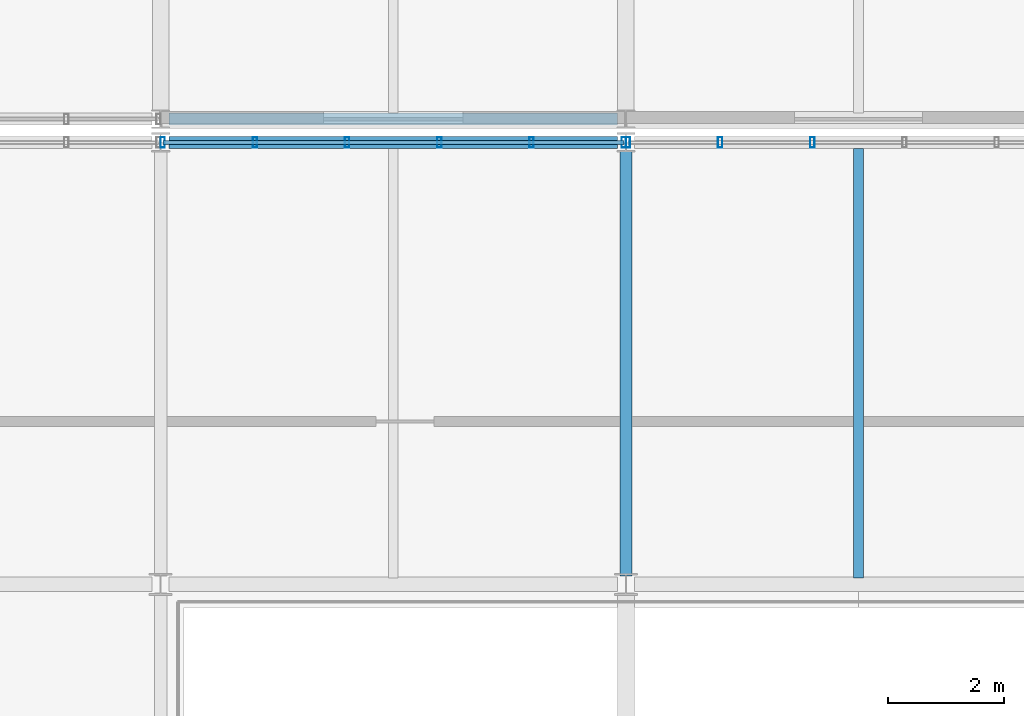
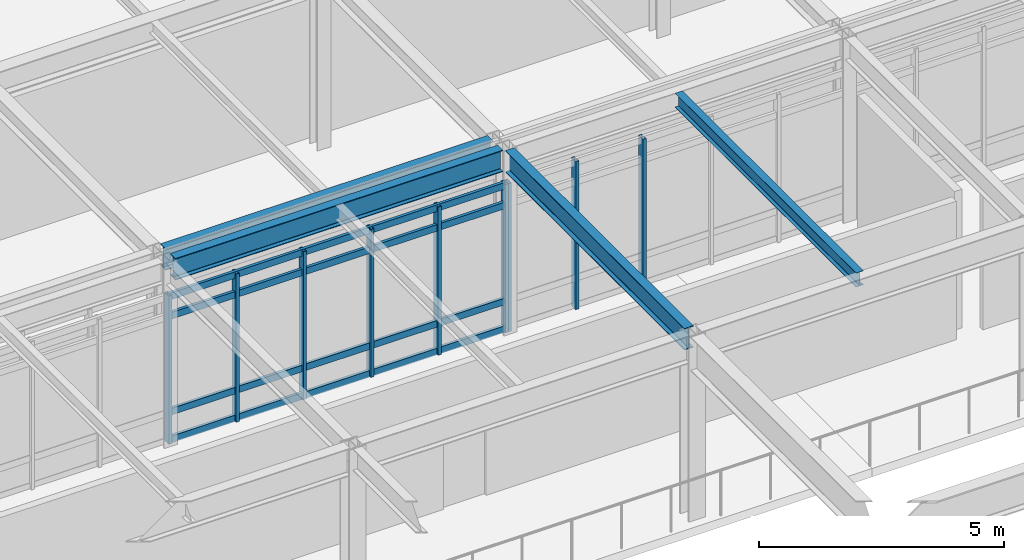
# One storey, part 49 of 104: 13 members, 4 beams, 2 elements without a shape of their own.
"""IFC4 building model written with IfcOpenShell, lengths in metres."""

from ifc_helpers import new_model, si_unit, direction, frame, origin, origin_2d, place, context, subcontext, project, spatial, hollow_rectangle, i_section, extrude, material, material_profile, profile_set, type_object, element, aggregate, save


model = new_model("IFC4")

# Units and contexts
model_context = context("Model", 3, precision=1e-05, world=origin(), true_north=direction((0.0, 1.0)))
body_context = subcontext(model_context, "Body", "Model", "MODEL_VIEW")
ifc_project = project(units=[si_unit("LENGTHUNIT", "METRE"), si_unit("AREAUNIT", "SQUARE_METRE"), si_unit("VOLUMEUNIT", "CUBIC_METRE"), si_unit("PLANEANGLEUNIT", "RADIAN"), si_unit("MASSUNIT", "GRAM", prefix="KILO")], contexts=[model_context])

# Site, building, storey
site_placement = place(None, origin())
site = spatial("IfcSite", under=ifc_project, at=site_placement, CompositionType="ELEMENT")
building_placement = place(site_placement, origin())
building = spatial("IfcBuilding", under=site, at=building_placement, Name="Zulena Civic Courthouse", CompositionType="ELEMENT")
storey_placement = place(building_placement, frame((0.0, 0.0, 15.60009765625)))
storey = spatial("IfcBuildingStorey", under=building, at=storey_placement, Name="L03", CompositionType="ELEMENT", Elevation=15.60009765625)

# Curtain wall, members
ifc_material_1 = material(Name="Double-silver low-E laminated solar-control glass", Category="glass")
curtain_wall_type = type_object("IfcCurtainWallType", Name="CW_7928x3690", PredefinedType="USERDEFINED", material=ifc_material_1)
curtain_wall_1_placement = place(storey_placement, origin())
curtain_wall_1 = element("IfcCurtainWall", 1, at=curtain_wall_1_placement, inside=storey, type_object=curtain_wall_type, Name="cw:V4:L03:1:2", ObjectType="UNITISED CURTAIN WALL", PredefinedType="USERDEFINED")
ifc_material_2 = material(Name="Bronze anodised thermally broken aluminium AA6063-T6", Category="aluminium")
ifc_material_profile_1 = material_profile(ifc_material_2, hollow_rectangle(XDim=0.074951171875, YDim=0.179931640625, WallThickness=0.0048828125, at=origin_2d()), Name="CWM180X75X5")
ifc_profile_set_1 = profile_set([ifc_material_profile_1], Name="Bronze anodised thermally broken aluminium AA6063-T6")
member_type_1 = type_object("IfcMemberType", Name="CWMullion_180x75", PredefinedType="MULLION", material=ifc_profile_set_1)
member_1_placement = place(storey_placement, frame((84.035888671875, 45.60009765625, 0.0), z_axis=(0.0, 0.0, 1.0), x_axis=(1.0, 0.0, 0.0)))
member_1 = element("IfcMember", 2, at=member_1_placement, type_object=member_type_1, Name="cw:V4:L03:1:2:mull:0", PredefinedType="MULLION", context=body_context, shape_type="SweptSolid", body=[
    extrude(hollow_rectangle(XDim=0.074951171875, YDim=0.179931640625, WallThickness=0.0048828125, at=origin_2d()), origin(), (0.0, 0.0, 1.0), 3.68994140625),
])
member_2_placement = place(storey_placement, frame((85.62158203125, 45.60009765625, 0.0), z_axis=(0.0, 0.0, 1.0), x_axis=(1.0, 0.0, 0.0)))
member_2 = element("IfcMember", 3, at=member_2_placement, type_object=member_type_1, Name="cw:V4:L03:1:2:mull:1", PredefinedType="MULLION", context=body_context, shape_type="SweptSolid", body=[
    extrude(hollow_rectangle(XDim=0.074951171875, YDim=0.179931640625, WallThickness=0.0048828125, at=origin_2d()), origin(), (0.0, 0.0, 1.0), 3.68994140625),
])
member_3_placement = place(storey_placement, frame((87.207275390625, 45.60009765625, 0.0), z_axis=(0.0, 0.0, 1.0), x_axis=(1.0, 0.0, 0.0)))
member_3 = element("IfcMember", 4, at=member_3_placement, type_object=member_type_1, Name="cw:V4:L03:1:2:mull:2", PredefinedType="MULLION", context=body_context, shape_type="SweptSolid", body=[
    extrude(hollow_rectangle(XDim=0.074951171875, YDim=0.179931640625, WallThickness=0.0048828125, at=origin_2d()), origin(), (0.0, 0.0, 1.0), 3.68994140625),
])
member_4_placement = place(storey_placement, frame((88.792724609375, 45.60009765625, 0.0), z_axis=(0.0, 0.0, 1.0), x_axis=(1.0, 0.0, 0.0)))
member_4 = element("IfcMember", 5, at=member_4_placement, type_object=member_type_1, Name="cw:V4:L03:1:2:mull:3", PredefinedType="MULLION", context=body_context, shape_type="SweptSolid", body=[
    extrude(hollow_rectangle(XDim=0.074951171875, YDim=0.179931640625, WallThickness=0.0048828125, at=origin_2d()), origin(), (0.0, 0.0, 1.0), 3.68994140625),
])
member_5_placement = place(storey_placement, frame((90.37841796875, 45.60009765625, 0.0), z_axis=(0.0, 0.0, 1.0), x_axis=(1.0, 0.0, 0.0)))
member_5 = element("IfcMember", 6, at=member_5_placement, type_object=member_type_1, Name="cw:V4:L03:1:2:mull:4", PredefinedType="MULLION", context=body_context, shape_type="SweptSolid", body=[
    extrude(hollow_rectangle(XDim=0.074951171875, YDim=0.179931640625, WallThickness=0.0048828125, at=origin_2d()), origin(), (0.0, 0.0, 1.0), 3.68994140625),
])
member_6_placement = place(storey_placement, frame((91.964111328125, 45.60009765625, 0.0), z_axis=(0.0, 0.0, 1.0), x_axis=(1.0, 0.0, 0.0)))
member_6 = element("IfcMember", 7, at=member_6_placement, type_object=member_type_1, Name="cw:V4:L03:1:2:mull:5", PredefinedType="MULLION", context=body_context, shape_type="SweptSolid", body=[
    extrude(hollow_rectangle(XDim=0.074951171875, YDim=0.179931640625, WallThickness=0.0048828125, at=origin_2d()), origin(), (0.0, 0.0, 1.0), 3.68994140625),
])

curtain_wall_2_placement = place(storey_placement, origin())
curtain_wall_2 = element("IfcCurtainWall", 8, at=curtain_wall_2_placement, inside=storey, type_object=curtain_wall_type, Name="cw:V4:L03:1:3", ObjectType="UNITISED CURTAIN WALL", PredefinedType="USERDEFINED")
member_7_placement = place(storey_placement, frame((92.035888671875, 45.60009765625, 0.0), z_axis=(0.0, 0.0, 1.0), x_axis=(1.0, 0.0, 0.0)))
member_7 = element("IfcMember", 9, at=member_7_placement, type_object=member_type_1, Name="cw:V4:L03:1:3:mull:0", PredefinedType="MULLION", context=body_context, shape_type="SweptSolid", body=[
    extrude(hollow_rectangle(XDim=0.074951171875, YDim=0.179931640625, WallThickness=0.0048828125, at=origin_2d()), origin(), (0.0, 0.0, 1.0), 3.68994140625),
])
member_8_placement = place(storey_placement, frame((93.62158203125, 45.60009765625, 0.0), z_axis=(0.0, 0.0, 1.0), x_axis=(1.0, 0.0, 0.0)))
member_8 = element("IfcMember", 10, at=member_8_placement, type_object=member_type_1, Name="cw:V4:L03:1:3:mull:1", PredefinedType="MULLION", context=body_context, shape_type="SweptSolid", body=[
    extrude(hollow_rectangle(XDim=0.074951171875, YDim=0.179931640625, WallThickness=0.0048828125, at=origin_2d()), origin(), (0.0, 0.0, 1.0), 3.68994140625),
])
member_9_placement = place(storey_placement, frame((95.207275390625, 45.60009765625, 0.0), z_axis=(0.0, 0.0, 1.0), x_axis=(1.0, 0.0, 0.0)))
member_9 = element("IfcMember", 11, at=member_9_placement, type_object=member_type_1, Name="cw:V4:L03:1:3:mull:2", PredefinedType="MULLION", context=body_context, shape_type="SweptSolid", body=[
    extrude(hollow_rectangle(XDim=0.074951171875, YDim=0.179931640625, WallThickness=0.0048828125, at=origin_2d()), origin(), (0.0, 0.0, 1.0), 3.68994140625),
])
aggregate(curtain_wall_2, [member_7, member_8, member_9])

# Member
ifc_material_profile_2 = material_profile(ifc_material_2, hollow_rectangle(XDim=0.070068359375, YDim=0.1650390625, WallThickness=0.00390625, at=origin_2d()), Name="CWT165X70X4")
ifc_profile_set_2 = profile_set([ifc_material_profile_2], Name="Bronze anodised thermally broken aluminium AA6063-T6")
member_type_2 = type_object("IfcMemberType", Name="CWTransom_165x70", PredefinedType="USERDEFINED", material=ifc_profile_set_2)
member_10_placement = place(storey_placement, frame((84.035888671875, 45.60009765625, 0.059814453125), z_axis=(1.0, 0.0, 0.0), x_axis=(0.0, 1.0, 0.0)))
member_10 = element("IfcMember", 12, at=member_10_placement, type_object=member_type_2, Name="cw:V4:L03:1:2:tran:0", ObjectType="TRANSOM", PredefinedType="USERDEFINED", context=body_context, shape_type="SweptSolid", body=[
    extrude(hollow_rectangle(XDim=0.070068359375, YDim=0.1650390625, WallThickness=0.00390625, at=origin_2d()), origin(), (0.0, 0.0, 1.0), 7.92822265625),
])

member_11_placement = place(storey_placement, frame((84.035888671875, 45.60009765625, 0.75), z_axis=(1.0, 0.0, 0.0), x_axis=(0.0, 1.0, 0.0)))
member_11 = element("IfcMember", 13, at=member_11_placement, type_object=member_type_2, Name="cw:V4:L03:1:2:tran:1", ObjectType="TRANSOM", PredefinedType="USERDEFINED", context=body_context, shape_type="SweptSolid", body=[
    extrude(hollow_rectangle(XDim=0.070068359375, YDim=0.1650390625, WallThickness=0.00390625, at=origin_2d()), origin(), (0.0, 0.0, 1.0), 7.92822265625),
])

member_12_placement = place(storey_placement, frame((84.035888671875, 45.60009765625, 3.139892578125), z_axis=(1.0, 0.0, 0.0), x_axis=(0.0, 1.0, 0.0)))
member_12 = element("IfcMember", 14, at=member_12_placement, type_object=member_type_2, Name="cw:V4:L03:1:2:tran:2", ObjectType="TRANSOM", PredefinedType="USERDEFINED", context=body_context, shape_type="SweptSolid", body=[
    extrude(hollow_rectangle(XDim=0.070068359375, YDim=0.1650390625, WallThickness=0.00390625, at=origin_2d()), origin(), (0.0, 0.0, 1.0), 7.92822265625),
])

member_13_placement = place(storey_placement, frame((84.035888671875, 45.60009765625, 3.6298828125), z_axis=(1.0, 0.0, 0.0), x_axis=(0.0, 1.0, 0.0)))
member_13 = element("IfcMember", 15, at=member_13_placement, type_object=member_type_2, Name="cw:V4:L03:1:2:tran:3", ObjectType="TRANSOM", PredefinedType="USERDEFINED", context=body_context, shape_type="SweptSolid", body=[
    extrude(hollow_rectangle(XDim=0.070068359375, YDim=0.1650390625, WallThickness=0.00390625, at=origin_2d()), origin(), (0.0, 0.0, 1.0), 7.92822265625),
])

aggregate(curtain_wall_1, [member_1, member_2, member_3, member_4, member_5, member_6, member_10, member_11, member_12, member_13])

# Beams
ifc_material_3 = material(Name="Steel ASTM A992 Grade 50", Category="steel")
ifc_material_profile_3 = material_profile(ifc_material_3, i_section(OverallWidth=0.1708984375, OverallDepth=0.35205078125, WebThickness=0.0068359375, FlangeThickness=0.009765625, FilletRadius=0.01025390625, at=origin_2d()), Name="W14X30")
ifc_profile_set_3 = profile_set([ifc_material_profile_3], Name="Steel ASTM A992 Grade 50")
beam_type_1 = type_object("IfcBeamType", Name="Joist_W14X30", PredefinedType="JOIST", material=ifc_profile_set_3)
beam_1_placement = place(storey_placement, frame((96.0, 38.10498046875, 4.413818359375), z_axis=(0.0, 1.0, 0.0), x_axis=(-1.0, 0.0, 0.0)))
element("IfcBeam", 16, at=beam_1_placement, inside=storey, type_object=beam_type_1, Name="joist:V4:L03:96.00:38.0_45.6", PredefinedType="JOIST", context=body_context, shape_type="SweptSolid", body=[
    extrude(i_section(OverallWidth=0.1708984375, OverallDepth=0.35205078125, WebThickness=0.0068359375, FlangeThickness=0.009765625, FilletRadius=0.01025390625, at=origin_2d()), origin(), (0.0, 0.0, 1.0), 7.39013671875),
])
ifc_material_profile_4 = material_profile(ifc_material_3, i_section(OverallWidth=0.2099609375, OverallDepth=0.537109375, WebThickness=0.010986328125, FlangeThickness=0.017333984375, FilletRadius=0.0126953125, at=origin_2d()), Name="W21X68")
ifc_profile_set_4 = profile_set([ifc_material_profile_4], Name="Steel ASTM A992 Grade 50")
beam_type_2 = type_object("IfcBeamType", Name="Spandrel_W21X68", PredefinedType="SPANDREL", material=ifc_profile_set_4)
beam_2_placement = place(storey_placement, frame((84.14501953125, 45.60009765625, 4.3212890625), z_axis=(1.0, 0.0, 0.0), x_axis=(0.0, 1.0, 0.0)))
element("IfcBeam", 17, at=beam_2_placement, inside=storey, type_object=beam_type_2, Name="beam:X:V4:L03:45.6:84.0_92.0", PredefinedType="SPANDREL", context=body_context, shape_type="SweptSolid", body=[
    extrude(i_section(OverallWidth=0.2099609375, OverallDepth=0.537109375, WebThickness=0.010986328125, FlangeThickness=0.017333984375, FilletRadius=0.0126953125, at=origin_2d()), origin(), (0.0, 0.0, 1.0), 7.7099609375),
])
beam_3_placement = place(storey_placement, frame((92.0, 38.14501953125, 4.3212890625), z_axis=(0.0, 1.0, 0.0), x_axis=(-1.0, 0.0, 0.0)))
element("IfcBeam", 18, at=beam_3_placement, inside=storey, type_object=beam_type_2, Name="beam:Y:V4:L03:92.0:38.0_45.6", PredefinedType="SPANDREL", context=body_context, shape_type="SweptSolid", body=[
    extrude(i_section(OverallWidth=0.2099609375, OverallDepth=0.537109375, WebThickness=0.010986328125, FlangeThickness=0.017333984375, FilletRadius=0.0126953125, at=origin_2d()), origin(), (0.0, 0.0, 1.0), 7.31005859375),
])
beam_4_placement = place(storey_placement, frame((84.14501953125, 46.0, 4.3212890625), z_axis=(1.0, 0.0, 0.0), x_axis=(0.0, 1.0, 0.0)))
element("IfcBeam", 19, at=beam_4_placement, inside=storey, type_object=beam_type_2, Name="beam:X:V5:L03:46.0:84.0_92.0", PredefinedType="SPANDREL", context=body_context, shape_type="SweptSolid", body=[
    extrude(i_section(OverallWidth=0.2099609375, OverallDepth=0.537109375, WebThickness=0.010986328125, FlangeThickness=0.017333984375, FilletRadius=0.0126953125, at=origin_2d()), origin(), (0.0, 0.0, 1.0), 7.7099609375),
])

save(model, "model.ifc")
